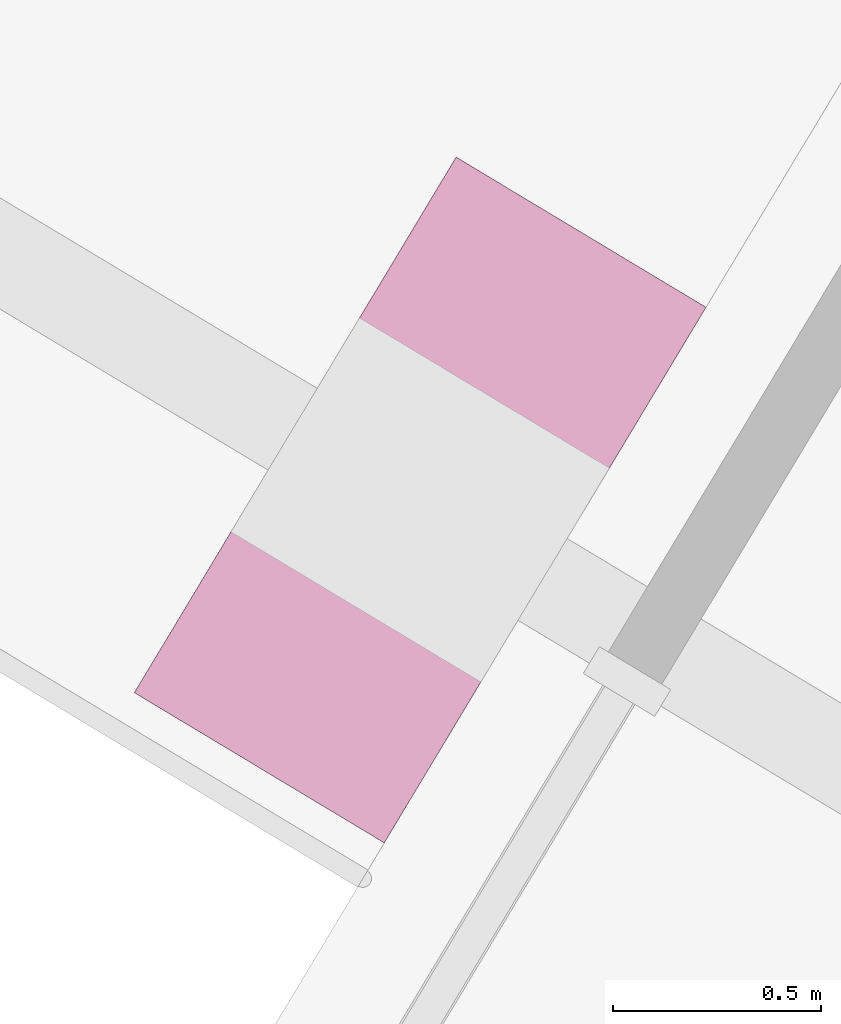
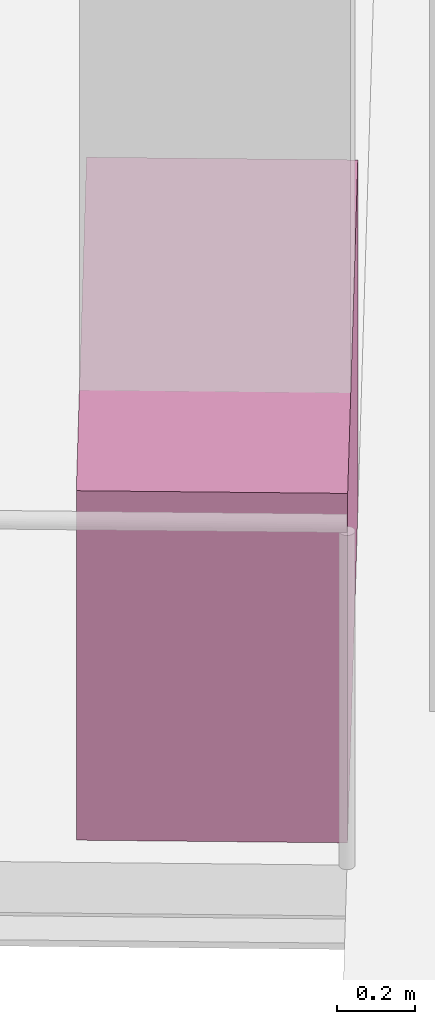
# One storey, part 17 of 18: 1 furniture element.
"""IFC4 building model written with IfcOpenShell, lengths in metres."""

from ifc_helpers import new_model, si_unit, direction, frame, origin, origin_2d, place, context, subcontext, project, spatial, rectangle, extrude, source, transform, mapped, material, type_object, element, save


model = new_model("IFC4")

# Units and contexts
model_context = context("Model", 3, precision=1e-05, world=origin(), true_north=direction((0.0, 1.0)))
body_context = subcontext(model_context, "Body", "Model", "MODEL_VIEW")
ifc_project = project(units=[si_unit("LENGTHUNIT", "METRE"), si_unit("AREAUNIT", "SQUARE_METRE"), si_unit("VOLUMEUNIT", "CUBIC_METRE"), si_unit("PLANEANGLEUNIT", "RADIAN"), si_unit("MASSUNIT", "GRAM", prefix="KILO")], contexts=[model_context])

# Site, building, storey
site_placement = place(None, origin())
site = spatial("IfcSite", under=ifc_project, at=site_placement, CompositionType="ELEMENT")
building_placement = place(site_placement, origin())
building = spatial("IfcBuilding", under=site, at=building_placement, Name="Triune Harvest Tower", CompositionType="ELEMENT")
storey_placement = place(building_placement, frame((0.0, 0.0, 190.699951171875)))
storey = spatial("IfcBuildingStorey", under=building, at=storey_placement, Name="L49", CompositionType="ELEMENT", Elevation=190.699951171875)

# Furniture
ifc_material = material(Name="Concrete 40 MPa", Category="concrete")
furniture_type = type_object("IfcFurnitureType", Name="PB-1 structural planter", AssemblyPlace="SITE", PredefinedType="USERDEFINED", material=ifc_material)
shared_shape = source(origin(), body_context, "Body", "SweptSolid", [
    extrude(rectangle(XDim=1.5, YDim=0.699951171875, at=origin_2d()), origin(), (0.0, 0.0, 1.0), 1.10009765625),
])
furniture_placement = place(storey_placement, frame((-19.38818359375, 9.141357421875, 0.0), z_axis=(0.0, 0.0, 1.0), x_axis=(-0.515036632219, -0.857168167557, 0.0)))
element("IfcFurniture", 1, at=furniture_placement, inside=storey, type_object=furniture_type, Name="Planter B5-F3 L49.6b", ObjectType="PLANTER", PredefinedType="USERDEFINED", context=body_context, shape_type="MappedRepresentation", body=[
    mapped(shared_shape, transform((0.0, 0.0, 0.0), scale=1.0)),
])

save(model, "model.ifc")
